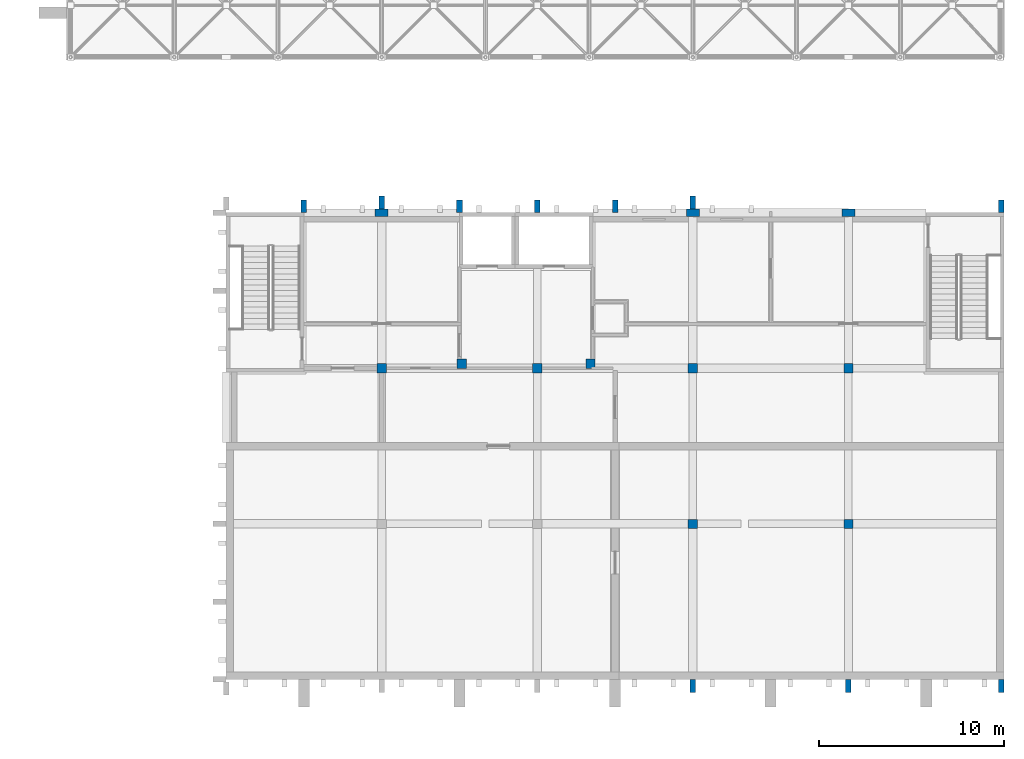
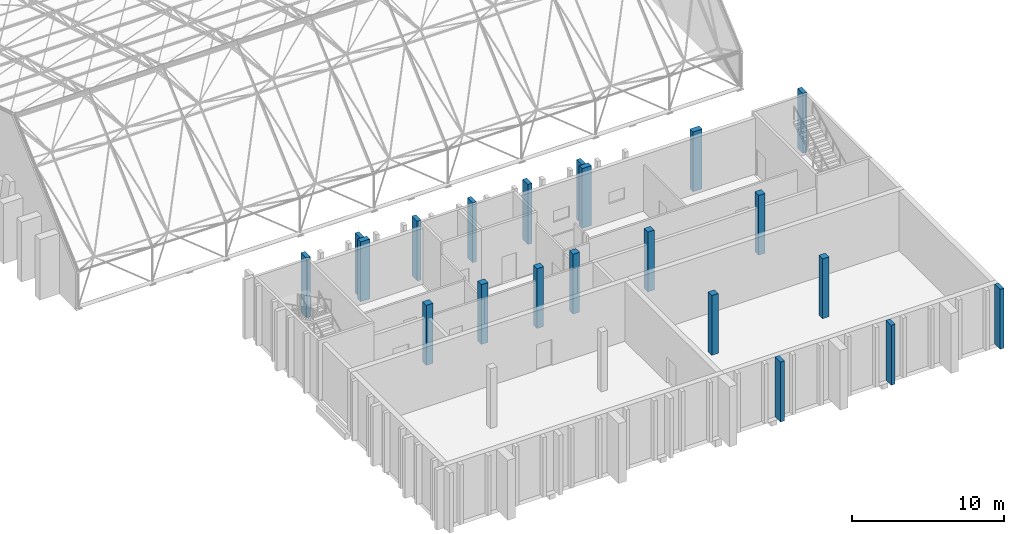
# One storey, part 2 of 100: 21 columns.
"""IFC4 building model written with IfcOpenShell, lengths in metres."""

from ifc_helpers import new_model, si_unit, direction, frame, origin, origin_2d, place, context, subcontext, project, spatial, rectangle, extrude, material, material_profile, profile_set, type_object, element, save


model = new_model("IFC4")

# Units and contexts
model_context = context("Model", 3, precision=1e-05, world=origin(), true_north=direction((0.0, 1.0)))
body_context = subcontext(model_context, "Body", "Model", "MODEL_VIEW")
ifc_project = project(units=[si_unit("LENGTHUNIT", "METRE"), si_unit("AREAUNIT", "SQUARE_METRE"), si_unit("VOLUMEUNIT", "CUBIC_METRE"), si_unit("PLANEANGLEUNIT", "RADIAN"), si_unit("MASSUNIT", "GRAM", prefix="KILO")], contexts=[model_context])

# Site, building, storey
site_placement = place(None, origin())
site = spatial("IfcSite", under=ifc_project, at=site_placement, CompositionType="ELEMENT")
building_placement = place(site_placement, origin())
building = spatial("IfcBuilding", under=site, at=building_placement, Name="Kiln Court Media Centre", CompositionType="ELEMENT")
storey_placement = place(building_placement, frame((0.0, 0.0, 15.0)))
storey = spatial("IfcBuildingStorey", under=building, at=storey_placement, Name="L03", CompositionType="ELEMENT", Elevation=15.0)

# Columns
ifc_material_1 = material(Name="Concrete C40/50", Category="concrete")
ifc_material_profile_1 = material_profile(ifc_material_1, rectangle(XDim=0.5, YDim=0.5, at=origin_2d()), Name="RC 500x500")
ifc_profile_set_1 = profile_set([ifc_material_profile_1], Name="Concrete C40/50")
column_type_1 = type_object("IfcColumnType", Name="Concrete C40/50 column 500x500", PredefinedType="COLUMN", material=ifc_profile_set_1)
for number, where, z_axis, x_axis, name in (
    (1, (134.39990234375, 16.800048828125, 0.0), (0.0, 0.0, 1.0), (1.0, 0.0, 0.0), "L03-C-1036"),
    (2, (142.800048828125, 16.800048828125, 0.0), (0.0, 0.0, 1.0), (1.0, 0.0, 0.0), "L03-C-1039"),
    (3, (151.199951171875, 8.39990234375, 0.0), (0.0, 0.0, 1.0), (1.0, 0.0, 0.0), "L03-C-1040"),
    (4, (151.199951171875, 16.800048828125, 0.0), (0.0, 0.0, 1.0), (1.0, 0.0, 0.0), "L03-C-1041"),
    (5, (159.60009765625, 8.39990234375, 0.0), (0.0, 0.0, 1.0), (1.0, 0.0, 0.0), "L03-C-1043"),
    (6, (159.60009765625, 16.800048828125, 0.0), (0.0, 0.0, 1.0), (1.0, 0.0, 0.0), "L03-C-1044"),
    (7, (138.72509765625, 17.050048828125, 0.0), (0.0, 0.0, 1.0), (1.0, 0.0, 0.0), "L03-C-1062"),
    (8, (145.675048828125, 17.050048828125, 0.0), (0.0, 0.0, 1.0), (1.0, 0.0, 0.0), "L03-C-1063"),
):
    element("IfcColumn", number, at=place(storey_placement, frame(where, z_axis=z_axis, x_axis=x_axis)), inside=storey, type_object=column_type_1, Name=name, PredefinedType="COLUMN", context=body_context, shape_type="SweptSolid", body=[
        extrude(rectangle(XDim=0.5, YDim=0.5, at=origin_2d()), origin(), (0.0, 0.0, 1.0), 4.800048828125),
    ])
ifc_material_2 = material(Name="Concrete C40/50", Category="concrete")
ifc_material_profile_2 = material_profile(ifc_material_2, rectangle(XDim=0.699951171875, YDim=0.39990234375, at=origin_2d()), Name="RC 700x400")
ifc_profile_set_2 = profile_set([ifc_material_profile_2], Name="Concrete C40/50")
column_type_2 = type_object("IfcColumnType", Name="Concrete C40/50 column 700x400", PredefinedType="COLUMN", material=ifc_profile_set_2)
for number, where, z_axis, x_axis, name in (
    (9, (134.39990234375, 25.199951171875, 0.0), (0.0, 0.0, 1.0), (1.0, 0.0, 0.0), "L03-C-1037"),
    (10, (151.199951171875, 25.199951171875, 0.0), (0.0, 0.0, 1.0), (1.0, 0.0, 0.0), "L03-C-1042"),
    (11, (159.60009765625, 25.199951171875, 0.0), (0.0, 0.0, 1.0), (1.0, 0.0, 0.0), "L03-C-1045"),
):
    element("IfcColumn", number, at=place(storey_placement, frame(where, z_axis=z_axis, x_axis=x_axis)), inside=storey, type_object=column_type_2, Name=name, PredefinedType="COLUMN", context=body_context, shape_type="SweptSolid", body=[
        extrude(rectangle(XDim=0.699951171875, YDim=0.39990234375, at=origin_2d()), origin(), (0.0, 0.0, 1.0), 4.800048828125),
    ])
ifc_material_3 = material(Name="Concrete C40/50", Category="concrete")
ifc_material_profile_3 = material_profile(ifc_material_3, rectangle(XDim=0.300048828125, YDim=0.699951171875, at=origin_2d()), Name="RC 300x700")
ifc_profile_set_3 = profile_set([ifc_material_profile_3], Name="Concrete C40/50")
column_type_3 = type_object("IfcColumnType", Name="Concrete C40/50 pilaster rib 300x700", PredefinedType="PILASTER", material=ifc_profile_set_3)
for number, where, z_axis, x_axis, name in (
    (12, (151.199951171875, -0.35009765625, 0.0), (0.0, 0.0, 1.0), (1.0, 0.0, 0.0), "V5 S rib L03"),
    (13, (159.60009765625, -0.35009765625, 0.0), (0.0, 0.0, 1.0), (1.0, 0.0, 0.0), "V5 S rib L03"),
    (14, (167.849853515625, -0.35009765625, 0.0), (0.0, 0.0, 1.0), (1.0, 0.0, 0.0), "V5 S rib L03"),
    (15, (130.199951171875, 25.550048828125, 0.0), (0.0, 0.0, 1.0), (1.0, 0.0, 0.0), "V5 N rib L03"),
    (16, (134.39990234375, 25.75, 0.0), (0.0, 0.0, 1.0), (1.0, 0.0, 0.0), "V5 N rib L03"),
    (17, (138.60009765625, 25.550048828125, 0.0), (0.0, 0.0, 1.0), (1.0, 0.0, 0.0), "V5 N rib L03"),
    (18, (142.800048828125, 25.550048828125, 0.0), (0.0, 0.0, 1.0), (1.0, 0.0, 0.0), "V5 N rib L03"),
    (19, (147.0, 25.550048828125, 0.0), (0.0, 0.0, 1.0), (1.0, 0.0, 0.0), "V5 N rib L03"),
    (20, (151.199951171875, 25.75, 0.0), (0.0, 0.0, 1.0), (1.0, 0.0, 0.0), "V5 N rib L03"),
    (21, (167.849853515625, 25.550048828125, 0.0), (0.0, 0.0, 1.0), (1.0, 0.0, 0.0), "V5 N rib L03"),
):
    element("IfcColumn", number, at=place(storey_placement, frame(where, z_axis=z_axis, x_axis=x_axis)), inside=storey, type_object=column_type_3, Name=name, PredefinedType="PILASTER", context=body_context, shape_type="SweptSolid", body=[
        extrude(rectangle(XDim=0.300048828125, YDim=0.699951171875, at=origin_2d()), origin(), (0.0, 0.0, 1.0), 4.800048828125),
    ])

save(model, "model.ifc")
